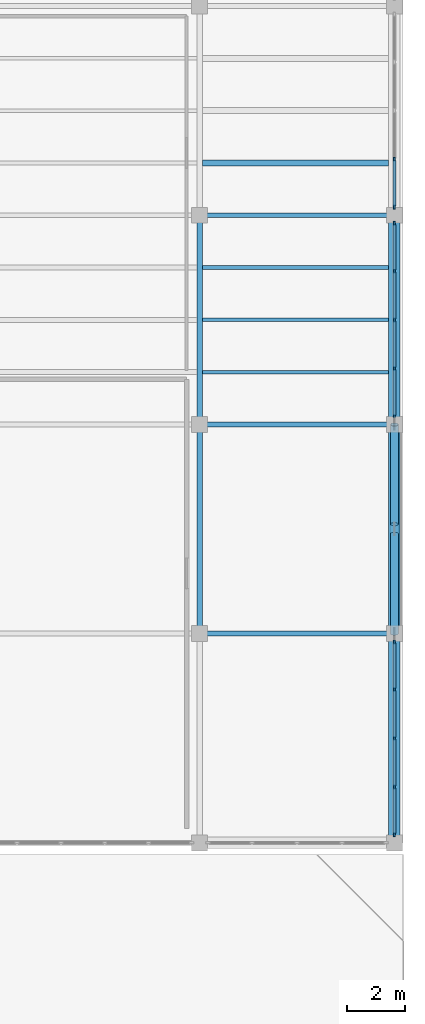
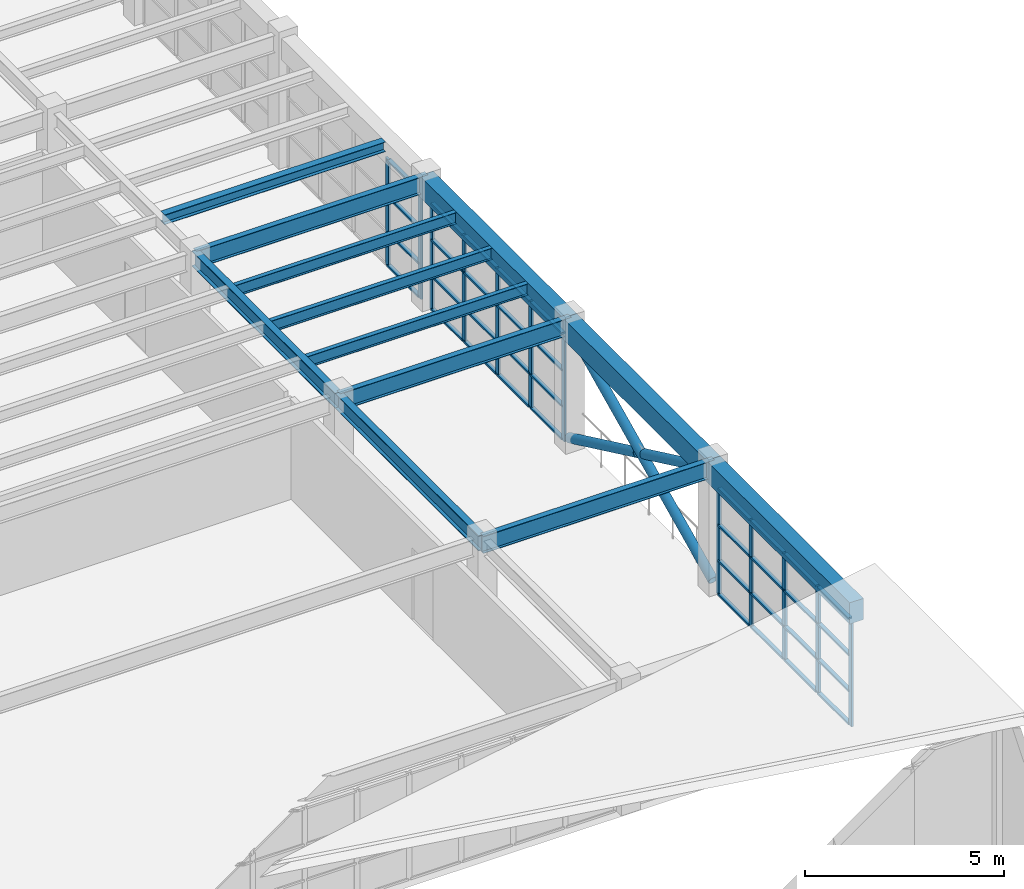
# One storey, part 31 of 66: 51 members, 12 beams, 3 elements without a shape of their own.
"""IFC4 building model written with IfcOpenShell, lengths in metres."""

from ifc_helpers import new_model, si_unit, direction, frame, origin, origin_2d, place, context, subcontext, project, spatial, rectangle, hollow_circle, i_section, extrude, material, layer, layer_set, material_profile, profile_set, type_object, element, aggregate, save


model = new_model("IFC4")

# Units and contexts
model_context = context("Model", 3, precision=1e-05, world=origin(), true_north=direction((0.0, 1.0)))
body_context = subcontext(model_context, "Body", "Model", "MODEL_VIEW")
ifc_project = project(units=[si_unit("LENGTHUNIT", "METRE"), si_unit("AREAUNIT", "SQUARE_METRE"), si_unit("VOLUMEUNIT", "CUBIC_METRE"), si_unit("PLANEANGLEUNIT", "RADIAN"), si_unit("MASSUNIT", "GRAM", prefix="KILO")], contexts=[model_context])

# Site, building, storey
site_placement = place(None, origin())
site = spatial("IfcSite", under=ifc_project, at=site_placement, CompositionType="ELEMENT")
building_placement = place(site_placement, origin())
building = spatial("IfcBuilding", under=site, at=building_placement, Name="Candilejo Ridge Gondola Terminal", CompositionType="ELEMENT")
storey_placement = place(building_placement, frame((0.0, 0.0, 14.39990234375)))
storey = spatial("IfcBuildingStorey", under=building, at=storey_placement, Name="L03", CompositionType="ELEMENT", Elevation=14.39990234375)

# Curtain wall, members
ifc_material_1 = material(Name="Anodised aluminium AA 6063-T6", Category="aluminium")
ifc_layer = layer(ifc_material_1, 0.169921875)
ifc_layer_set = layer_set([ifc_layer], Name="ARC-CW-TOWER-3000-670X329")
curtain_wall_type = type_object("IfcCurtainWallType", Name="ARC-CW-TOWER-3000-670X329", PredefinedType="NOTDEFINED", material=ifc_layer_set)
curtain_wall_1_placement = place(storey_placement, origin())
curtain_wall_1 = element("IfcCurtainWall", 1, at=curtain_wall_1_placement, inside=storey, type_object=curtain_wall_type, Name="Curtain wall V5 L03-197", PredefinedType="NOTDEFINED")
ifc_material_2 = material(Name="Anodised aluminium AA 6063-T6", Category="aluminium")
ifc_material_profile_1 = material_profile(ifc_material_2, rectangle(XDim=0.06494140625, YDim=0.14990234375, at=origin_2d()))
ifc_profile_set_1 = profile_set([ifc_material_profile_1], Name="Anodised aluminium AA 6063-T6")
member_type_1 = type_object("IfcMemberType", Name="ARC-CW-MULLION-150", PredefinedType="MULLION", material=ifc_profile_set_1)
member_1_placement = place(storey_placement, frame((175.300048828125, 70.532470703125, 0.0), z_axis=(0.0, 0.0, 1.0), x_axis=(-1.0, 0.0, 0.0)))
member_1 = element("IfcMember", 2, at=member_1_placement, type_object=member_type_1, Name="CW-67X32 mullion 1", PredefinedType="MULLION", context=body_context, shape_type="SweptSolid", body=[
    extrude(rectangle(XDim=0.06494140625, YDim=0.14990234375, at=origin_2d()), origin(), (0.0, 0.0, 1.0), 3.2900390625),
])
member_2_placement = place(storey_placement, frame((175.300048828125, 72.175048828125, 0.0), z_axis=(0.0, 0.0, 1.0), x_axis=(-1.0, 0.0, 0.0)))
member_2 = element("IfcMember", 3, at=member_2_placement, type_object=member_type_1, Name="CW-67X32 mullion 2", PredefinedType="MULLION", context=body_context, shape_type="SweptSolid", body=[
    extrude(rectangle(XDim=0.06494140625, YDim=0.14990234375, at=origin_2d()), origin(), (0.0, 0.0, 1.0), 3.2900390625),
])
member_3_placement = place(storey_placement, frame((175.300048828125, 73.85009765625, 0.0), z_axis=(0.0, 0.0, 1.0), x_axis=(-1.0, 0.0, 0.0)))
member_3 = element("IfcMember", 4, at=member_3_placement, type_object=member_type_1, Name="CW-67X32 mullion 3", PredefinedType="MULLION", context=body_context, shape_type="SweptSolid", body=[
    extrude(rectangle(XDim=0.06494140625, YDim=0.14990234375, at=origin_2d()), origin(), (0.0, 0.0, 1.0), 3.2900390625),
])
member_4_placement = place(storey_placement, frame((175.300048828125, 75.52490234375, 0.0), z_axis=(0.0, 0.0, 1.0), x_axis=(-1.0, 0.0, 0.0)))
member_4 = element("IfcMember", 5, at=member_4_placement, type_object=member_type_1, Name="CW-67X32 mullion 4", PredefinedType="MULLION", context=body_context, shape_type="SweptSolid", body=[
    extrude(rectangle(XDim=0.06494140625, YDim=0.14990234375, at=origin_2d()), origin(), (0.0, 0.0, 1.0), 3.2900390625),
])
member_5_placement = place(storey_placement, frame((175.300048828125, 77.16748046875, 0.0), z_axis=(0.0, 0.0, 1.0), x_axis=(-1.0, 0.0, 0.0)))
member_5 = element("IfcMember", 6, at=member_5_placement, type_object=member_type_1, Name="CW-67X32 mullion 5", PredefinedType="MULLION", context=body_context, shape_type="SweptSolid", body=[
    extrude(rectangle(XDim=0.06494140625, YDim=0.14990234375, at=origin_2d()), origin(), (0.0, 0.0, 1.0), 3.2900390625),
])

curtain_wall_2_placement = place(storey_placement, origin())
curtain_wall_2 = element("IfcCurtainWall", 7, at=curtain_wall_2_placement, inside=storey, type_object=curtain_wall_type, Name="Curtain wall V5 L03-199", PredefinedType="NOTDEFINED")
member_6_placement = place(storey_placement, frame((175.300048828125, 84.9326171875, 0.0), z_axis=(0.0, 0.0, 1.0), x_axis=(-1.0, 0.0, 0.0)))
member_6 = element("IfcMember", 8, at=member_6_placement, type_object=member_type_1, Name="CW-67X32 mullion 1", PredefinedType="MULLION", context=body_context, shape_type="SweptSolid", body=[
    extrude(rectangle(XDim=0.06494140625, YDim=0.14990234375, at=origin_2d()), origin(), (0.0, 0.0, 1.0), 3.2900390625),
])
member_7_placement = place(storey_placement, frame((175.300048828125, 86.574951171875, 0.0), z_axis=(0.0, 0.0, 1.0), x_axis=(-1.0, 0.0, 0.0)))
member_7 = element("IfcMember", 9, at=member_7_placement, type_object=member_type_1, Name="CW-67X32 mullion 2", PredefinedType="MULLION", context=body_context, shape_type="SweptSolid", body=[
    extrude(rectangle(XDim=0.06494140625, YDim=0.14990234375, at=origin_2d()), origin(), (0.0, 0.0, 1.0), 3.2900390625),
])
member_8_placement = place(storey_placement, frame((175.300048828125, 88.25, 0.0), z_axis=(0.0, 0.0, 1.0), x_axis=(-1.0, 0.0, 0.0)))
member_8 = element("IfcMember", 10, at=member_8_placement, type_object=member_type_1, Name="CW-67X32 mullion 3", PredefinedType="MULLION", context=body_context, shape_type="SweptSolid", body=[
    extrude(rectangle(XDim=0.06494140625, YDim=0.14990234375, at=origin_2d()), origin(), (0.0, 0.0, 1.0), 3.2900390625),
])
member_9_placement = place(storey_placement, frame((175.300048828125, 89.925048828125, 0.0), z_axis=(0.0, 0.0, 1.0), x_axis=(-1.0, 0.0, 0.0)))
member_9 = element("IfcMember", 11, at=member_9_placement, type_object=member_type_1, Name="CW-67X32 mullion 4", PredefinedType="MULLION", context=body_context, shape_type="SweptSolid", body=[
    extrude(rectangle(XDim=0.06494140625, YDim=0.14990234375, at=origin_2d()), origin(), (0.0, 0.0, 1.0), 3.2900390625),
])
member_10_placement = place(storey_placement, frame((175.300048828125, 91.5673828125, 0.0), z_axis=(0.0, 0.0, 1.0), x_axis=(-1.0, 0.0, 0.0)))
member_10 = element("IfcMember", 12, at=member_10_placement, type_object=member_type_1, Name="CW-67X32 mullion 5", PredefinedType="MULLION", context=body_context, shape_type="SweptSolid", body=[
    extrude(rectangle(XDim=0.06494140625, YDim=0.14990234375, at=origin_2d()), origin(), (0.0, 0.0, 1.0), 3.2900390625),
])

curtain_wall_3_placement = place(storey_placement, origin())
curtain_wall_3 = element("IfcCurtainWall", 13, at=curtain_wall_3_placement, inside=storey, type_object=curtain_wall_type, Name="Curtain wall V5 L03-201", PredefinedType="NOTDEFINED")
member_11_placement = place(storey_placement, frame((175.300048828125, 92.132568359375, 0.0), z_axis=(0.0, 0.0, 1.0), x_axis=(-1.0, 0.0, 0.0)))
member_11 = element("IfcMember", 14, at=member_11_placement, type_object=member_type_1, Name="CW-67X32 mullion 1", PredefinedType="MULLION", context=body_context, shape_type="SweptSolid", body=[
    extrude(rectangle(XDim=0.06494140625, YDim=0.14990234375, at=origin_2d()), origin(), (0.0, 0.0, 1.0), 3.2900390625),
])
member_12_placement = place(storey_placement, frame((175.300048828125, 93.77490234375, 0.0), z_axis=(0.0, 0.0, 1.0), x_axis=(-1.0, 0.0, 0.0)))
member_12 = element("IfcMember", 15, at=member_12_placement, type_object=member_type_1, Name="CW-67X32 mullion 2", PredefinedType="MULLION", context=body_context, shape_type="SweptSolid", body=[
    extrude(rectangle(XDim=0.06494140625, YDim=0.14990234375, at=origin_2d()), origin(), (0.0, 0.0, 1.0), 3.2900390625),
])

# Member
ifc_material_3 = material(Name="Anodised aluminium AA 6063-T6", Category="aluminium")
ifc_material_profile_2 = material_profile(ifc_material_3, rectangle(XDim=0.110107421875, YDim=0.06005859375, at=origin_2d()))
ifc_profile_set_2 = profile_set([ifc_material_profile_2], Name="Anodised aluminium AA 6063-T6")
member_type_2 = type_object("IfcMemberType", Name="ARC-CW-TRANSOM-110", PredefinedType="USERDEFINED", material=ifc_profile_set_2)
member_13_placement = place(storey_placement, frame((175.300048828125, 70.56494140625, 0.030029296875), z_axis=(0.0, 1.0, 0.0), x_axis=(-1.0, 0.0, 0.0)))
member_13 = element("IfcMember", 16, at=member_13_placement, type_object=member_type_2, Name="CW-67X32 transom 1.1", ObjectType="TRANSOM", PredefinedType="USERDEFINED", context=body_context, shape_type="SweptSolid", body=[
    extrude(rectangle(XDim=0.110107421875, YDim=0.06005859375, at=origin_2d()), origin(), (0.0, 0.0, 1.0), 1.57763671875),
])

member_14_placement = place(storey_placement, frame((175.300048828125, 70.56494140625, 1.050048828125), z_axis=(0.0, 1.0, 0.0), x_axis=(-1.0, 0.0, 0.0)))
member_14 = element("IfcMember", 17, at=member_14_placement, type_object=member_type_2, Name="CW-67X32 transom 1.2", ObjectType="TRANSOM", PredefinedType="USERDEFINED", context=body_context, shape_type="SweptSolid", body=[
    extrude(rectangle(XDim=0.110107421875, YDim=0.06005859375, at=origin_2d()), origin(), (0.0, 0.0, 1.0), 1.57763671875),
])

member_15_placement = place(storey_placement, frame((175.300048828125, 70.56494140625, 2.150146484375), z_axis=(0.0, 1.0, 0.0), x_axis=(-1.0, 0.0, 0.0)))
member_15 = element("IfcMember", 18, at=member_15_placement, type_object=member_type_2, Name="CW-67X32 transom 1.3", ObjectType="TRANSOM", PredefinedType="USERDEFINED", context=body_context, shape_type="SweptSolid", body=[
    extrude(rectangle(XDim=0.110107421875, YDim=0.06005859375, at=origin_2d()), origin(), (0.0, 0.0, 1.0), 1.57763671875),
])

member_16_placement = place(storey_placement, frame((175.300048828125, 70.56494140625, 3.260009765625), z_axis=(0.0, 1.0, 0.0), x_axis=(-1.0, 0.0, 0.0)))
member_16 = element("IfcMember", 19, at=member_16_placement, type_object=member_type_2, Name="CW-67X32 transom 1.4", ObjectType="TRANSOM", PredefinedType="USERDEFINED", context=body_context, shape_type="SweptSolid", body=[
    extrude(rectangle(XDim=0.110107421875, YDim=0.06005859375, at=origin_2d()), origin(), (0.0, 0.0, 1.0), 1.57763671875),
])

member_17_placement = place(storey_placement, frame((175.300048828125, 72.20751953125, 0.030029296875), z_axis=(0.0, 1.0, 0.0), x_axis=(-1.0, 0.0, 0.0)))
member_17 = element("IfcMember", 20, at=member_17_placement, type_object=member_type_2, Name="CW-67X32 transom 2.1", ObjectType="TRANSOM", PredefinedType="USERDEFINED", context=body_context, shape_type="SweptSolid", body=[
    extrude(rectangle(XDim=0.110107421875, YDim=0.06005859375, at=origin_2d()), origin(), (0.0, 0.0, 1.0), 1.60986328125),
])

member_18_placement = place(storey_placement, frame((175.300048828125, 72.20751953125, 1.050048828125), z_axis=(0.0, 1.0, 0.0), x_axis=(-1.0, 0.0, 0.0)))
member_18 = element("IfcMember", 21, at=member_18_placement, type_object=member_type_2, Name="CW-67X32 transom 2.2", ObjectType="TRANSOM", PredefinedType="USERDEFINED", context=body_context, shape_type="SweptSolid", body=[
    extrude(rectangle(XDim=0.110107421875, YDim=0.06005859375, at=origin_2d()), origin(), (0.0, 0.0, 1.0), 1.60986328125),
])

member_19_placement = place(storey_placement, frame((175.300048828125, 72.20751953125, 2.150146484375), z_axis=(0.0, 1.0, 0.0), x_axis=(-1.0, 0.0, 0.0)))
member_19 = element("IfcMember", 22, at=member_19_placement, type_object=member_type_2, Name="CW-67X32 transom 2.3", ObjectType="TRANSOM", PredefinedType="USERDEFINED", context=body_context, shape_type="SweptSolid", body=[
    extrude(rectangle(XDim=0.110107421875, YDim=0.06005859375, at=origin_2d()), origin(), (0.0, 0.0, 1.0), 1.60986328125),
])

member_20_placement = place(storey_placement, frame((175.300048828125, 72.20751953125, 3.260009765625), z_axis=(0.0, 1.0, 0.0), x_axis=(-1.0, 0.0, 0.0)))
member_20 = element("IfcMember", 23, at=member_20_placement, type_object=member_type_2, Name="CW-67X32 transom 2.4", ObjectType="TRANSOM", PredefinedType="USERDEFINED", context=body_context, shape_type="SweptSolid", body=[
    extrude(rectangle(XDim=0.110107421875, YDim=0.06005859375, at=origin_2d()), origin(), (0.0, 0.0, 1.0), 1.60986328125),
])

member_21_placement = place(storey_placement, frame((175.300048828125, 73.882568359375, 0.030029296875), z_axis=(0.0, 1.0, 0.0), x_axis=(-1.0, 0.0, 0.0)))
member_21 = element("IfcMember", 24, at=member_21_placement, type_object=member_type_2, Name="CW-67X32 transom 3.1", ObjectType="TRANSOM", PredefinedType="USERDEFINED", context=body_context, shape_type="SweptSolid", body=[
    extrude(rectangle(XDim=0.110107421875, YDim=0.06005859375, at=origin_2d()), origin(), (0.0, 0.0, 1.0), 1.60986328125),
])

member_22_placement = place(storey_placement, frame((175.300048828125, 73.882568359375, 1.050048828125), z_axis=(0.0, 1.0, 0.0), x_axis=(-1.0, 0.0, 0.0)))
member_22 = element("IfcMember", 25, at=member_22_placement, type_object=member_type_2, Name="CW-67X32 transom 3.2", ObjectType="TRANSOM", PredefinedType="USERDEFINED", context=body_context, shape_type="SweptSolid", body=[
    extrude(rectangle(XDim=0.110107421875, YDim=0.06005859375, at=origin_2d()), origin(), (0.0, 0.0, 1.0), 1.60986328125),
])

member_23_placement = place(storey_placement, frame((175.300048828125, 73.882568359375, 2.150146484375), z_axis=(0.0, 1.0, 0.0), x_axis=(-1.0, 0.0, 0.0)))
member_23 = element("IfcMember", 26, at=member_23_placement, type_object=member_type_2, Name="CW-67X32 transom 3.3", ObjectType="TRANSOM", PredefinedType="USERDEFINED", context=body_context, shape_type="SweptSolid", body=[
    extrude(rectangle(XDim=0.110107421875, YDim=0.06005859375, at=origin_2d()), origin(), (0.0, 0.0, 1.0), 1.60986328125),
])

member_24_placement = place(storey_placement, frame((175.300048828125, 73.882568359375, 3.260009765625), z_axis=(0.0, 1.0, 0.0), x_axis=(-1.0, 0.0, 0.0)))
member_24 = element("IfcMember", 27, at=member_24_placement, type_object=member_type_2, Name="CW-67X32 transom 3.4", ObjectType="TRANSOM", PredefinedType="USERDEFINED", context=body_context, shape_type="SweptSolid", body=[
    extrude(rectangle(XDim=0.110107421875, YDim=0.06005859375, at=origin_2d()), origin(), (0.0, 0.0, 1.0), 1.60986328125),
])

member_25_placement = place(storey_placement, frame((175.300048828125, 75.5576171875, 0.030029296875), z_axis=(0.0, 1.0, 0.0), x_axis=(-1.0, 0.0, 0.0)))
member_25 = element("IfcMember", 28, at=member_25_placement, type_object=member_type_2, Name="CW-67X32 transom 4.1", ObjectType="TRANSOM", PredefinedType="USERDEFINED", context=body_context, shape_type="SweptSolid", body=[
    extrude(rectangle(XDim=0.110107421875, YDim=0.06005859375, at=origin_2d()), origin(), (0.0, 0.0, 1.0), 1.577392578125),
])

member_26_placement = place(storey_placement, frame((175.300048828125, 75.5576171875, 1.050048828125), z_axis=(0.0, 1.0, 0.0), x_axis=(-1.0, 0.0, 0.0)))
member_26 = element("IfcMember", 29, at=member_26_placement, type_object=member_type_2, Name="CW-67X32 transom 4.2", ObjectType="TRANSOM", PredefinedType="USERDEFINED", context=body_context, shape_type="SweptSolid", body=[
    extrude(rectangle(XDim=0.110107421875, YDim=0.06005859375, at=origin_2d()), origin(), (0.0, 0.0, 1.0), 1.577392578125),
])

member_27_placement = place(storey_placement, frame((175.300048828125, 75.5576171875, 2.150146484375), z_axis=(0.0, 1.0, 0.0), x_axis=(-1.0, 0.0, 0.0)))
member_27 = element("IfcMember", 30, at=member_27_placement, type_object=member_type_2, Name="CW-67X32 transom 4.3", ObjectType="TRANSOM", PredefinedType="USERDEFINED", context=body_context, shape_type="SweptSolid", body=[
    extrude(rectangle(XDim=0.110107421875, YDim=0.06005859375, at=origin_2d()), origin(), (0.0, 0.0, 1.0), 1.577392578125),
])

member_28_placement = place(storey_placement, frame((175.300048828125, 75.5576171875, 3.260009765625), z_axis=(0.0, 1.0, 0.0), x_axis=(-1.0, 0.0, 0.0)))
member_28 = element("IfcMember", 31, at=member_28_placement, type_object=member_type_2, Name="CW-67X32 transom 4.4", ObjectType="TRANSOM", PredefinedType="USERDEFINED", context=body_context, shape_type="SweptSolid", body=[
    extrude(rectangle(XDim=0.110107421875, YDim=0.06005859375, at=origin_2d()), origin(), (0.0, 0.0, 1.0), 1.577392578125),
])

aggregate(curtain_wall_1, [member_1, member_2, member_3, member_4, member_5, member_13, member_14, member_15, member_16, member_17, member_18, member_19, member_20, member_21, member_22, member_23, member_24, member_25, member_26, member_27, member_28])

member_29_placement = place(storey_placement, frame((175.300048828125, 84.965087890625, 0.030029296875), z_axis=(0.0, 1.0, 0.0), x_axis=(-1.0, 0.0, 0.0)))
member_29 = element("IfcMember", 32, at=member_29_placement, type_object=member_type_2, Name="CW-67X32 transom 1.1", ObjectType="TRANSOM", PredefinedType="USERDEFINED", context=body_context, shape_type="SweptSolid", body=[
    extrude(rectangle(XDim=0.110107421875, YDim=0.06005859375, at=origin_2d()), origin(), (0.0, 0.0, 1.0), 1.577392578125),
])

member_30_placement = place(storey_placement, frame((175.300048828125, 84.965087890625, 1.050048828125), z_axis=(0.0, 1.0, 0.0), x_axis=(-1.0, 0.0, 0.0)))
member_30 = element("IfcMember", 33, at=member_30_placement, type_object=member_type_2, Name="CW-67X32 transom 1.2", ObjectType="TRANSOM", PredefinedType="USERDEFINED", context=body_context, shape_type="SweptSolid", body=[
    extrude(rectangle(XDim=0.110107421875, YDim=0.06005859375, at=origin_2d()), origin(), (0.0, 0.0, 1.0), 1.577392578125),
])

member_31_placement = place(storey_placement, frame((175.300048828125, 84.965087890625, 2.150146484375), z_axis=(0.0, 1.0, 0.0), x_axis=(-1.0, 0.0, 0.0)))
member_31 = element("IfcMember", 34, at=member_31_placement, type_object=member_type_2, Name="CW-67X32 transom 1.3", ObjectType="TRANSOM", PredefinedType="USERDEFINED", context=body_context, shape_type="SweptSolid", body=[
    extrude(rectangle(XDim=0.110107421875, YDim=0.06005859375, at=origin_2d()), origin(), (0.0, 0.0, 1.0), 1.577392578125),
])

member_32_placement = place(storey_placement, frame((175.300048828125, 84.965087890625, 3.260009765625), z_axis=(0.0, 1.0, 0.0), x_axis=(-1.0, 0.0, 0.0)))
member_32 = element("IfcMember", 35, at=member_32_placement, type_object=member_type_2, Name="CW-67X32 transom 1.4", ObjectType="TRANSOM", PredefinedType="USERDEFINED", context=body_context, shape_type="SweptSolid", body=[
    extrude(rectangle(XDim=0.110107421875, YDim=0.06005859375, at=origin_2d()), origin(), (0.0, 0.0, 1.0), 1.577392578125),
])

member_33_placement = place(storey_placement, frame((175.300048828125, 86.607421875, 0.030029296875), z_axis=(0.0, 1.0, 0.0), x_axis=(-1.0, 0.0, 0.0)))
member_33 = element("IfcMember", 36, at=member_33_placement, type_object=member_type_2, Name="CW-67X32 transom 2.1", ObjectType="TRANSOM", PredefinedType="USERDEFINED", context=body_context, shape_type="SweptSolid", body=[
    extrude(rectangle(XDim=0.110107421875, YDim=0.06005859375, at=origin_2d()), origin(), (0.0, 0.0, 1.0), 1.610107421875),
])

member_34_placement = place(storey_placement, frame((175.300048828125, 86.607421875, 1.050048828125), z_axis=(0.0, 1.0, 0.0), x_axis=(-1.0, 0.0, 0.0)))
member_34 = element("IfcMember", 37, at=member_34_placement, type_object=member_type_2, Name="CW-67X32 transom 2.2", ObjectType="TRANSOM", PredefinedType="USERDEFINED", context=body_context, shape_type="SweptSolid", body=[
    extrude(rectangle(XDim=0.110107421875, YDim=0.06005859375, at=origin_2d()), origin(), (0.0, 0.0, 1.0), 1.610107421875),
])

member_35_placement = place(storey_placement, frame((175.300048828125, 86.607421875, 2.150146484375), z_axis=(0.0, 1.0, 0.0), x_axis=(-1.0, 0.0, 0.0)))
member_35 = element("IfcMember", 38, at=member_35_placement, type_object=member_type_2, Name="CW-67X32 transom 2.3", ObjectType="TRANSOM", PredefinedType="USERDEFINED", context=body_context, shape_type="SweptSolid", body=[
    extrude(rectangle(XDim=0.110107421875, YDim=0.06005859375, at=origin_2d()), origin(), (0.0, 0.0, 1.0), 1.610107421875),
])

member_36_placement = place(storey_placement, frame((175.300048828125, 86.607421875, 3.260009765625), z_axis=(0.0, 1.0, 0.0), x_axis=(-1.0, 0.0, 0.0)))
member_36 = element("IfcMember", 39, at=member_36_placement, type_object=member_type_2, Name="CW-67X32 transom 2.4", ObjectType="TRANSOM", PredefinedType="USERDEFINED", context=body_context, shape_type="SweptSolid", body=[
    extrude(rectangle(XDim=0.110107421875, YDim=0.06005859375, at=origin_2d()), origin(), (0.0, 0.0, 1.0), 1.610107421875),
])

member_37_placement = place(storey_placement, frame((175.300048828125, 88.282470703125, 0.030029296875), z_axis=(0.0, 1.0, 0.0), x_axis=(-1.0, 0.0, 0.0)))
member_37 = element("IfcMember", 40, at=member_37_placement, type_object=member_type_2, Name="CW-67X32 transom 3.1", ObjectType="TRANSOM", PredefinedType="USERDEFINED", context=body_context, shape_type="SweptSolid", body=[
    extrude(rectangle(XDim=0.110107421875, YDim=0.06005859375, at=origin_2d()), origin(), (0.0, 0.0, 1.0), 1.610107421875),
])

member_38_placement = place(storey_placement, frame((175.300048828125, 88.282470703125, 1.050048828125), z_axis=(0.0, 1.0, 0.0), x_axis=(-1.0, 0.0, 0.0)))
member_38 = element("IfcMember", 41, at=member_38_placement, type_object=member_type_2, Name="CW-67X32 transom 3.2", ObjectType="TRANSOM", PredefinedType="USERDEFINED", context=body_context, shape_type="SweptSolid", body=[
    extrude(rectangle(XDim=0.110107421875, YDim=0.06005859375, at=origin_2d()), origin(), (0.0, 0.0, 1.0), 1.610107421875),
])

member_39_placement = place(storey_placement, frame((175.300048828125, 88.282470703125, 2.150146484375), z_axis=(0.0, 1.0, 0.0), x_axis=(-1.0, 0.0, 0.0)))
member_39 = element("IfcMember", 42, at=member_39_placement, type_object=member_type_2, Name="CW-67X32 transom 3.3", ObjectType="TRANSOM", PredefinedType="USERDEFINED", context=body_context, shape_type="SweptSolid", body=[
    extrude(rectangle(XDim=0.110107421875, YDim=0.06005859375, at=origin_2d()), origin(), (0.0, 0.0, 1.0), 1.610107421875),
])

member_40_placement = place(storey_placement, frame((175.300048828125, 88.282470703125, 3.260009765625), z_axis=(0.0, 1.0, 0.0), x_axis=(-1.0, 0.0, 0.0)))
member_40 = element("IfcMember", 43, at=member_40_placement, type_object=member_type_2, Name="CW-67X32 transom 3.4", ObjectType="TRANSOM", PredefinedType="USERDEFINED", context=body_context, shape_type="SweptSolid", body=[
    extrude(rectangle(XDim=0.110107421875, YDim=0.06005859375, at=origin_2d()), origin(), (0.0, 0.0, 1.0), 1.610107421875),
])

member_41_placement = place(storey_placement, frame((175.300048828125, 89.95751953125, 0.030029296875), z_axis=(0.0, 1.0, 0.0), x_axis=(-1.0, 0.0, 0.0)))
member_41 = element("IfcMember", 44, at=member_41_placement, type_object=member_type_2, Name="CW-67X32 transom 4.1", ObjectType="TRANSOM", PredefinedType="USERDEFINED", context=body_context, shape_type="SweptSolid", body=[
    extrude(rectangle(XDim=0.110107421875, YDim=0.06005859375, at=origin_2d()), origin(), (0.0, 0.0, 1.0), 1.577392578125),
])

member_42_placement = place(storey_placement, frame((175.300048828125, 89.95751953125, 1.050048828125), z_axis=(0.0, 1.0, 0.0), x_axis=(-1.0, 0.0, 0.0)))
member_42 = element("IfcMember", 45, at=member_42_placement, type_object=member_type_2, Name="CW-67X32 transom 4.2", ObjectType="TRANSOM", PredefinedType="USERDEFINED", context=body_context, shape_type="SweptSolid", body=[
    extrude(rectangle(XDim=0.110107421875, YDim=0.06005859375, at=origin_2d()), origin(), (0.0, 0.0, 1.0), 1.577392578125),
])

member_43_placement = place(storey_placement, frame((175.300048828125, 89.95751953125, 2.150146484375), z_axis=(0.0, 1.0, 0.0), x_axis=(-1.0, 0.0, 0.0)))
member_43 = element("IfcMember", 46, at=member_43_placement, type_object=member_type_2, Name="CW-67X32 transom 4.3", ObjectType="TRANSOM", PredefinedType="USERDEFINED", context=body_context, shape_type="SweptSolid", body=[
    extrude(rectangle(XDim=0.110107421875, YDim=0.06005859375, at=origin_2d()), origin(), (0.0, 0.0, 1.0), 1.577392578125),
])

member_44_placement = place(storey_placement, frame((175.300048828125, 89.95751953125, 3.260009765625), z_axis=(0.0, 1.0, 0.0), x_axis=(-1.0, 0.0, 0.0)))
member_44 = element("IfcMember", 47, at=member_44_placement, type_object=member_type_2, Name="CW-67X32 transom 4.4", ObjectType="TRANSOM", PredefinedType="USERDEFINED", context=body_context, shape_type="SweptSolid", body=[
    extrude(rectangle(XDim=0.110107421875, YDim=0.06005859375, at=origin_2d()), origin(), (0.0, 0.0, 1.0), 1.577392578125),
])

aggregate(curtain_wall_2, [member_6, member_7, member_8, member_9, member_10, member_29, member_30, member_31, member_32, member_33, member_34, member_35, member_36, member_37, member_38, member_39, member_40, member_41, member_42, member_43, member_44])

member_45_placement = place(storey_placement, frame((175.300048828125, 92.1650390625, 0.030029296875), z_axis=(0.0, 1.0, 0.0), x_axis=(-1.0, 0.0, 0.0)))
member_45 = element("IfcMember", 48, at=member_45_placement, type_object=member_type_2, Name="CW-67X32 transom 1.1", ObjectType="TRANSOM", PredefinedType="USERDEFINED", context=body_context, shape_type="SweptSolid", body=[
    extrude(rectangle(XDim=0.110107421875, YDim=0.06005859375, at=origin_2d()), origin(), (0.0, 0.0, 1.0), 1.577392578125),
])

member_46_placement = place(storey_placement, frame((175.300048828125, 92.1650390625, 1.050048828125), z_axis=(0.0, 1.0, 0.0), x_axis=(-1.0, 0.0, 0.0)))
member_46 = element("IfcMember", 49, at=member_46_placement, type_object=member_type_2, Name="CW-67X32 transom 1.2", ObjectType="TRANSOM", PredefinedType="USERDEFINED", context=body_context, shape_type="SweptSolid", body=[
    extrude(rectangle(XDim=0.110107421875, YDim=0.06005859375, at=origin_2d()), origin(), (0.0, 0.0, 1.0), 1.577392578125),
])

member_47_placement = place(storey_placement, frame((175.300048828125, 92.1650390625, 2.150146484375), z_axis=(0.0, 1.0, 0.0), x_axis=(-1.0, 0.0, 0.0)))
member_47 = element("IfcMember", 50, at=member_47_placement, type_object=member_type_2, Name="CW-67X32 transom 1.3", ObjectType="TRANSOM", PredefinedType="USERDEFINED", context=body_context, shape_type="SweptSolid", body=[
    extrude(rectangle(XDim=0.110107421875, YDim=0.06005859375, at=origin_2d()), origin(), (0.0, 0.0, 1.0), 1.577392578125),
])

member_48_placement = place(storey_placement, frame((175.300048828125, 92.1650390625, 3.260009765625), z_axis=(0.0, 1.0, 0.0), x_axis=(-1.0, 0.0, 0.0)))
member_48 = element("IfcMember", 51, at=member_48_placement, type_object=member_type_2, Name="CW-67X32 transom 1.4", ObjectType="TRANSOM", PredefinedType="USERDEFINED", context=body_context, shape_type="SweptSolid", body=[
    extrude(rectangle(XDim=0.110107421875, YDim=0.06005859375, at=origin_2d()), origin(), (0.0, 0.0, 1.0), 1.577392578125),
])

aggregate(curtain_wall_3, [member_11, member_12, member_45, member_46, member_47, member_48])

# Beams
ifc_material_4 = material(Name="Steel ASTM A992 Grade 50", Category="steel")
ifc_material_profile_3 = material_profile(ifc_material_4, i_section(OverallWidth=0.194091796875, OverallDepth=0.468994140625, WebThickness=0.0126953125, FlangeThickness=0.0205078125, at=origin_2d()))
ifc_profile_set_3 = profile_set([ifc_material_profile_3], Name="Steel ASTM A992 Grade 50")
beam_type_1 = type_object("IfcBeamType", Name="STR-BM-W460X106", PredefinedType="BEAM", material=ifc_profile_set_3)
beam_1_placement = place(storey_placement, frame((168.60009765625, 77.449951171875, 3.755615234375), z_axis=(0.0, 1.0, 0.0), x_axis=(-1.0, 0.0, 0.0)))
element("IfcBeam", 52, at=beam_1_placement, inside=storey, type_object=beam_type_1, Name="Beam Y V5 L03 Y14-Y15@X25", PredefinedType="BEAM", context=body_context, shape_type="SweptSolid", body=[
    extrude(i_section(OverallWidth=0.194091796875, OverallDepth=0.468994140625, WebThickness=0.0126953125, FlangeThickness=0.0205078125, at=origin_2d()), origin(), (0.0, 0.0, 1.0), 7.199951171875),
])
beam_2_placement = place(storey_placement, frame((168.60009765625, 84.64990234375, 3.755615234375), z_axis=(0.0, 1.0, 0.0), x_axis=(-1.0, 0.0, 0.0)))
element("IfcBeam", 53, at=beam_2_placement, inside=storey, type_object=beam_type_1, Name="Beam Y V5 L03 Y15-Y16@X25", PredefinedType="BEAM", context=body_context, shape_type="SweptSolid", body=[
    extrude(i_section(OverallWidth=0.194091796875, OverallDepth=0.468994140625, WebThickness=0.0126953125, FlangeThickness=0.0205078125, at=origin_2d()), origin(), (0.0, 0.0, 1.0), 7.2001953125),
])
ifc_material_5 = material(Name="Steel ASTM A992 Grade 50", Category="steel")
ifc_material_profile_4 = material_profile(ifc_material_5, i_section(OverallWidth=0.166015625, OverallDepth=0.529052734375, WebThickness=0.009765625, FlangeThickness=0.013671875, at=origin_2d()))
ifc_profile_set_4 = profile_set([ifc_material_profile_4], Name="Steel ASTM A992 Grade 50")
beam_type_2 = type_object("IfcBeamType", Name="STR-BM-W530X74", PredefinedType="BEAM", material=ifc_profile_set_4)
for number, where, z_axis, x_axis, name in (
    (54, (168.60009765625, 77.449951171875, 3.7255859375), (1.0, 0.0, 0.0), (0.0, 1.0, 0.0), "Beam X V5 L03 X25-X27@Y14"),
    (55, (168.60009765625, 84.64990234375, 3.7255859375), (1.0, 0.0, 0.0), (0.0, 1.0, 0.0), "Beam X V5 L03 X25-X27@Y15"),
    (56, (168.60009765625, 91.85009765625, 3.7255859375), (1.0, 0.0, 0.0), (0.0, 1.0, 0.0), "Beam X V5 L03 X25-X27@Y16"),
):
    element("IfcBeam", number, at=place(storey_placement, frame(where, z_axis=z_axis, x_axis=x_axis)), inside=storey, type_object=beam_type_2, Name=name, PredefinedType="BEAM", context=body_context, shape_type="SweptSolid", body=[
        extrude(i_section(OverallWidth=0.166015625, OverallDepth=0.529052734375, WebThickness=0.009765625, FlangeThickness=0.013671875, at=origin_2d()), origin(), (0.0, 0.0, 1.0), 6.699951171875),
    ])

# Members
ifc_material_6 = material(Name="Steel ASTM A500 Grade C", Category="steel")
ifc_material_profile_5 = material_profile(ifc_material_6, hollow_circle(Radius=0.136474609375, WallThickness=0.00927734375, at=origin_2d()))
ifc_profile_set_5 = profile_set([ifc_material_profile_5], Name="Steel ASTM A500 Grade C")
member_type_3 = type_object("IfcMemberType", Name="STR-BRC-CHS273", PredefinedType="BRACE", material=ifc_profile_set_5)
member_49_placement = place(storey_placement, frame((175.300048828125, 77.449951171875, 0.25), z_axis=(0.0, 0.903517506795, 0.428551181209), x_axis=(-1.0, 0.0, 0.0)))
element("IfcMember", 57, at=member_49_placement, inside=storey, type_object=member_type_3, Name="X-brace continuous diagonal V5 L03-12A", PredefinedType="BRACE", context=body_context, shape_type="SweptSolid", body=[
    extrude(hollow_circle(Radius=0.136474609375, WallThickness=0.00927734375, at=origin_2d()), origin(), (0.0, 0.0, 1.0), 7.96875),
])
for number, where, z_axis, x_axis, name in (
    (58, (175.300048828125, 77.449951171875, 3.6650390625), (0.0, 0.903525765341, -0.428533769224), (-1.0, 0.0, 0.0), "X-brace split upper segment V5 L03-12B"),
    (59, (175.300048828125, 81.21728515625, 1.87841796875), (0.0, 0.903489080599, -0.428611107226), (-1.0, 0.0, 0.0), "X-brace split lower segment V5 L03-12C"),
):
    element("IfcMember", number, at=place(storey_placement, frame(where, z_axis=z_axis, x_axis=x_axis)), inside=storey, type_object=member_type_3, Name=name, PredefinedType="BRACE", context=body_context, shape_type="SweptSolid", body=[
        extrude(hollow_circle(Radius=0.136474609375, WallThickness=0.00927734375, at=origin_2d()), origin(), (0.0, 0.0, 1.0), 3.79931640625),
    ])

# Beams
ifc_material_7 = material(Name="Steel ASTM A992 Grade 50", Category="steel")
ifc_material_profile_6 = material_profile(ifc_material_7, i_section(OverallWidth=0.202880859375, OverallDepth=0.302978515625, WebThickness=0.007568359375, FlangeThickness=0.01318359375, at=origin_2d()))
ifc_profile_set_6 = profile_set([ifc_material_profile_6], Name="Steel ASTM A992 Grade 50")
beam_type_3 = type_object("IfcBeamType", Name="STR-JST-W310X60", PredefinedType="JOIST", material=ifc_profile_set_6)
beam_3_placement = place(storey_placement, frame((168.697021484375, 93.64990234375, 3.838623046875), z_axis=(1.0, 0.0, 0.0), x_axis=(0.0, 1.0, 0.0)))
element("IfcBeam", 60, at=beam_3_placement, inside=storey, type_object=beam_type_3, Name="Composite joist V5 L03-1395", PredefinedType="JOIST", context=body_context, shape_type="SweptSolid", body=[
    extrude(i_section(OverallWidth=0.202880859375, OverallDepth=0.302978515625, WebThickness=0.007568359375, FlangeThickness=0.01318359375, at=origin_2d()), origin(), (0.0, 0.0, 1.0), 6.403076171875),
])
ifc_material_8 = material(Name="Steel ASTM A992 Grade 50", Category="steel")
ifc_material_profile_7 = material_profile(ifc_material_8, i_section(OverallWidth=0.1279296875, OverallDepth=0.35302734375, WebThickness=0.006591796875, FlangeThickness=0.0107421875, at=origin_2d()))
ifc_profile_set_7 = profile_set([ifc_material_profile_7], Name="Steel ASTM A992 Grade 50")
beam_type_4 = type_object("IfcBeamType", Name="STR-JST-W360X39", PredefinedType="JOIST", material=ifc_profile_set_7)
for number, where, z_axis, x_axis, name in (
    (61, (168.697021484375, 86.449951171875, 3.8134765625), (1.0, 0.0, 0.0), (0.0, 1.0, 0.0), "Composite joist V5 L03-1392"),
    (62, (168.697021484375, 88.25, 3.8134765625), (1.0, 0.0, 0.0), (0.0, 1.0, 0.0), "Composite joist V5 L03-1393"),
    (63, (168.697021484375, 90.050048828125, 3.8134765625), (1.0, 0.0, 0.0), (0.0, 1.0, 0.0), "Composite joist V5 L03-1394"),
):
    element("IfcBeam", number, at=place(storey_placement, frame(where, z_axis=z_axis, x_axis=x_axis)), inside=storey, type_object=beam_type_4, Name=name, PredefinedType="JOIST", context=body_context, shape_type="SweptSolid", body=[
        extrude(i_section(OverallWidth=0.1279296875, OverallDepth=0.35302734375, WebThickness=0.006591796875, FlangeThickness=0.0107421875, at=origin_2d()), origin(), (0.0, 0.0, 1.0), 6.403076171875),
    ])
ifc_material_9 = material(Name="Concrete f'c 35 MPa (C35/45)", Category="concrete")
ifc_material_profile_8 = material_profile(ifc_material_9, rectangle(XDim=0.39990234375, YDim=0.64990234375, at=origin_2d()))
ifc_profile_set_8 = profile_set([ifc_material_profile_8], Name="Concrete f'c 35 MPa (C35/45)")
beam_type_5 = type_object("IfcBeamType", Name="STR-SPN-RC400X650", PredefinedType="SPANDREL", material=ifc_profile_set_8)
for number, where, z_axis, x_axis, name in (
    (64, (175.300048828125, 70.25, 3.6650390625), (0.0, 1.0, 0.0), (-1.0, 0.0, 0.0), "Beam Y V5 L03 Y13-Y14@X27"),
    (65, (175.300048828125, 77.449951171875, 3.6650390625), (0.0, 1.0, 0.0), (-1.0, 0.0, 0.0), "Beam Y V5 L03 Y14-Y15@X27"),
):
    element("IfcBeam", number, at=place(storey_placement, frame(where, z_axis=z_axis, x_axis=x_axis)), inside=storey, type_object=beam_type_5, Name=name, PredefinedType="SPANDREL", context=body_context, shape_type="SweptSolid", body=[
        extrude(rectangle(XDim=0.39990234375, YDim=0.64990234375, at=origin_2d()), origin(), (0.0, 0.0, 1.0), 7.199951171875),
    ])
beam_4_placement = place(storey_placement, frame((175.300048828125, 84.64990234375, 3.6650390625), z_axis=(0.0, 1.0, 0.0), x_axis=(-1.0, 0.0, 0.0)))
element("IfcBeam", 66, at=beam_4_placement, inside=storey, type_object=beam_type_5, Name="Beam Y V5 L03 Y15-Y16@X27", PredefinedType="SPANDREL", context=body_context, shape_type="SweptSolid", body=[
    extrude(rectangle(XDim=0.39990234375, YDim=0.64990234375, at=origin_2d()), origin(), (0.0, 0.0, 1.0), 7.2001953125),
])

save(model, "model.ifc")
